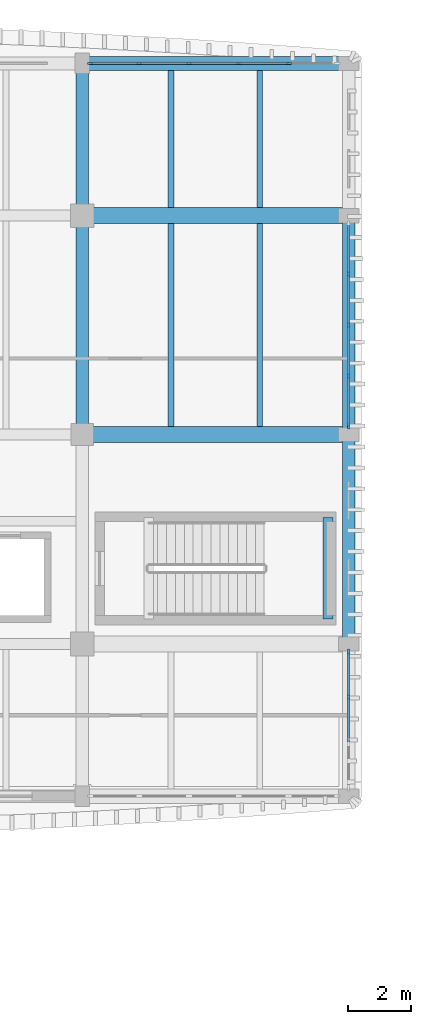
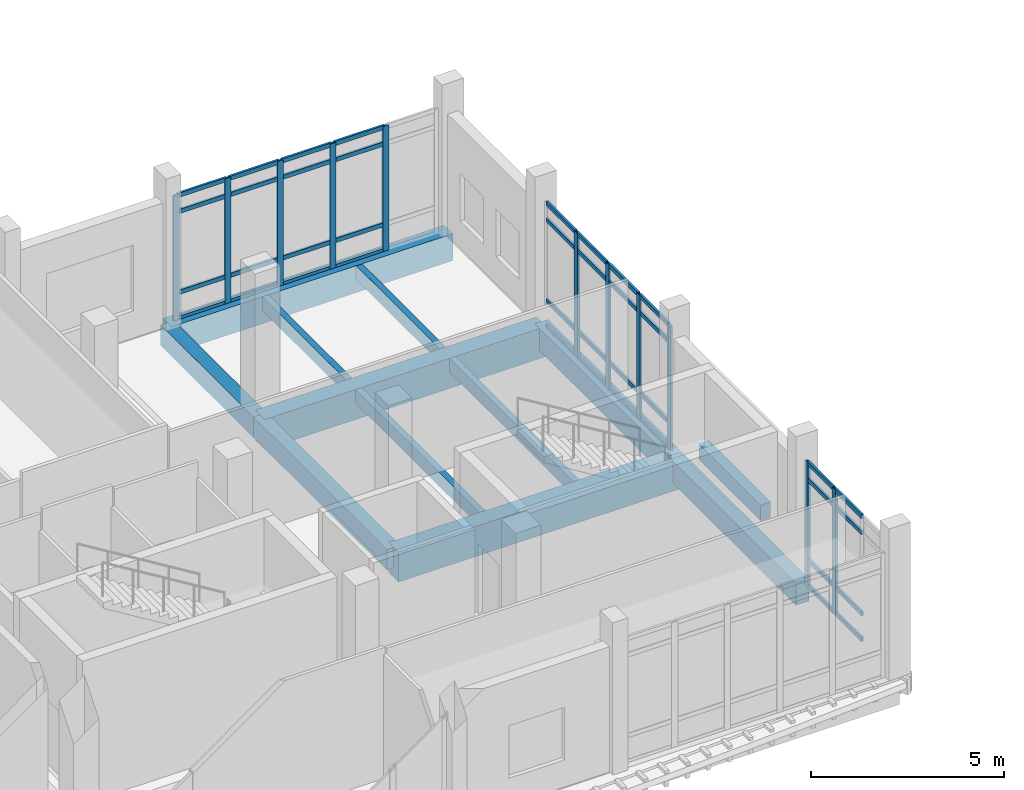
# One storey, part 6 of 39: 51 members, 12 beams, 3 elements without a shape of their own.
"""IFC4 building model written with IfcOpenShell, lengths in metres."""

from ifc_helpers import new_model, si_unit, direction, frame, origin, origin_2d, place, context, subcontext, project, spatial, rectangle, extrude, material, material_profile, profile_set, type_object, element, aggregate, save


model = new_model("IFC4")

# Units and contexts
model_context = context("Model", 3, precision=1e-05, world=origin(), true_north=direction((0.0, 1.0)))
body_context = subcontext(model_context, "Body", "Model", "MODEL_VIEW")
ifc_project = project(units=[si_unit("LENGTHUNIT", "METRE"), si_unit("AREAUNIT", "SQUARE_METRE"), si_unit("VOLUMEUNIT", "CUBIC_METRE"), si_unit("PLANEANGLEUNIT", "RADIAN"), si_unit("MASSUNIT", "GRAM", prefix="KILO")], contexts=[model_context])

# Site, building, storey
site_placement = place(None, origin())
site = spatial("IfcSite", under=ifc_project, at=site_placement, CompositionType="ELEMENT")
building_placement = place(site_placement, origin())
building = spatial("IfcBuilding", under=site, at=building_placement, Name="Dornvale Research Institute", CompositionType="ELEMENT")
storey_placement = place(building_placement, frame((0.0, 0.0, 24.60009765625)))
storey = spatial("IfcBuildingStorey", under=building, at=storey_placement, Name="L05", CompositionType="ELEMENT", Elevation=24.60009765625)

# Beams
ifc_material_1 = material(Name="Concrete f'c 45 MPa (C35/45)", Category="concrete")
ifc_material_profile_1 = material_profile(ifc_material_1, rectangle(XDim=0.300048828125, YDim=0.5, at=origin_2d()), Name="RC 300x500")
ifc_profile_set_1 = profile_set([ifc_material_profile_1], Name="Concrete f'c 45 MPa (C35/45)")
beam_type_1 = type_object("IfcBeamType", Name="Beam_RC300x500_Trim", PredefinedType="BEAM", material=ifc_profile_set_1)
beam_1_placement = place(storey_placement, frame((40.75, 104.580078125, 1.949951171875), z_axis=(0.0, 1.0, 0.0), x_axis=(-1.0, 0.0, 0.0)))
element("IfcBeam", 1, at=beam_1_placement, inside=storey, type_object=beam_type_1, Name="L05 ST-2 half-landing support beam #42", PredefinedType="BEAM", context=body_context, shape_type="SweptSolid", body=[
    extrude(rectangle(XDim=0.300048828125, YDim=0.5, at=origin_2d()), origin(), (0.0, 0.0, 1.0), 3.199951171875),
])
ifc_material_2 = material(Name="Concrete f'c 45 MPa (C35/45)", Category="concrete")
ifc_material_profile_2 = material_profile(ifc_material_2, rectangle(XDim=0.39990234375, YDim=0.64990234375, at=origin_2d()), Name="RC 400x650")
ifc_profile_set_2 = profile_set([ifc_material_profile_2], Name="Concrete f'c 45 MPa (C35/45)")
beam_type_2 = type_object("IfcBeamType", Name="Beam_RC400x650_Floor", PredefinedType="BEAM", material=ifc_profile_set_2)
beam_2_placement = place(storey_placement, frame((33.0, 110.39990234375, -0.3251953125), z_axis=(0.0, 1.0, 0.0), x_axis=(-1.0, 0.0, 0.0)))
element("IfcBeam", 2, at=beam_2_placement, inside=storey, type_object=beam_type_2, Name="L05 transverse girder #1375", PredefinedType="BEAM", context=body_context, shape_type="SweptSolid", body=[
    extrude(rectangle(XDim=0.39990234375, YDim=0.64990234375, at=origin_2d()), origin(), (0.0, 0.0, 1.0), 6.900146484375),
])
beam_3_placement = place(storey_placement, frame((33.0, 117.300048828125, -0.3251953125), z_axis=(0.0, 1.0, 0.0), x_axis=(-1.0, 0.0, 0.0)))
element("IfcBeam", 3, at=beam_3_placement, inside=storey, type_object=beam_type_2, Name="L05 transverse girder #1376", PredefinedType="BEAM", context=body_context, shape_type="SweptSolid", body=[
    extrude(rectangle(XDim=0.39990234375, YDim=0.64990234375, at=origin_2d()), origin(), (0.0, 0.0, 1.0), 4.800048828125),
])
ifc_material_3 = material(Name="Concrete f'c 45 MPa (C35/45)", Category="concrete")
ifc_material_profile_3 = material_profile(ifc_material_3, rectangle(XDim=0.5, YDim=0.949951171875, at=origin_2d()), Name="RC 500x950")
ifc_profile_set_3 = profile_set([ifc_material_profile_3], Name="Concrete f'c 45 MPa (C35/45)")
beam_type_3 = type_object("IfcBeamType", Name="Beam_RC500x950_Girder", PredefinedType="BEAM", material=ifc_profile_set_3)
for number, where, z_axis, x_axis, name in (
    (4, (33.0, 110.39990234375, -0.47509765625), (1.0, 0.0, 0.0), (0.0, 1.0, 0.0), "L05 primary girder #1340"),
    (5, (33.0, 117.300048828125, -0.47509765625), (1.0, 0.0, 0.0), (0.0, 1.0, 0.0), "L05 primary girder #1346"),
):
    element("IfcBeam", number, at=place(storey_placement, frame(where, z_axis=z_axis, x_axis=x_axis)), inside=storey, type_object=beam_type_3, Name=name, PredefinedType="BEAM", context=body_context, shape_type="SweptSolid", body=[
        extrude(rectangle(XDim=0.5, YDim=0.949951171875, at=origin_2d()), origin(), (0.0, 0.0, 1.0), 8.39990234375),
    ])
ifc_material_4 = material(Name="Concrete f'c 45 MPa (C35/45)", Category="concrete")
ifc_material_profile_4 = material_profile(ifc_material_4, rectangle(XDim=0.179931640625, YDim=0.43505859375, at=origin_2d()), Name="RC 180x435")
ifc_profile_set_4 = profile_set([ifc_material_profile_4], Name="Concrete f'c 45 MPa (C35/45)")
beam_type_4 = type_object("IfcBeamType", Name="Joist_RC180x435_Rib", PredefinedType="JOIST", material=ifc_profile_set_4)
for number, where, z_axis, x_axis, name in (
    (6, (35.800048828125, 110.64990234375, -0.217529296875), (0.0, 1.0, 0.0), (-1.0, 0.0, 0.0), "L05 laboratory waffle joist #654"),
    (7, (38.60009765625, 110.64990234375, -0.217529296875), (0.0, 1.0, 0.0), (-1.0, 0.0, 0.0), "L05 laboratory waffle joist #655"),
):
    element("IfcBeam", number, at=place(storey_placement, frame(where, z_axis=z_axis, x_axis=x_axis)), inside=storey, type_object=beam_type_4, Name=name, PredefinedType="JOIST", context=body_context, shape_type="SweptSolid", body=[
        extrude(rectangle(XDim=0.179931640625, YDim=0.43505859375, at=origin_2d()), origin(), (0.0, 0.0, 1.0), 6.400146484375),
    ])
for number, where, z_axis, x_axis, name in (
    (8, (35.800048828125, 117.550048828125, -0.217529296875), (0.0, 1.0, 0.0), (-1.0, 0.0, 0.0), "L05 laboratory waffle joist #656"),
    (9, (38.60009765625, 117.550048828125, -0.217529296875), (0.0, 1.0, 0.0), (-1.0, 0.0, 0.0), "L05 laboratory waffle joist #657"),
):
    element("IfcBeam", number, at=place(storey_placement, frame(where, z_axis=z_axis, x_axis=x_axis)), inside=storey, type_object=beam_type_4, Name=name, PredefinedType="JOIST", context=body_context, shape_type="SweptSolid", body=[
        extrude(rectangle(XDim=0.179931640625, YDim=0.43505859375, at=origin_2d()), origin(), (0.0, 0.0, 1.0), 4.324951171875),
    ])

# Curtain wall, members
ifc_material_5 = material(Name="Low-E Argon Double Insulating Glazing Unit", Category="glass")
curtain_wall_type_1 = type_object("IfcCurtainWallType", Name="UnitisedCurtainWall_V5_7850x3950", PredefinedType="USERDEFINED", material=ifc_material_5)
curtain_wall_1_placement = place(storey_placement, origin())
curtain_wall_1 = element("IfcCurtainWall", 10, at=curtain_wall_1_placement, inside=storey, type_object=curtain_wall_type_1, Name="L05 V5 unitised curtain wall CW-31 #167", ObjectType="UNITISED CURTAIN WALL", PredefinedType="USERDEFINED")
ifc_material_6 = material(Name="Anodized Aluminum AA 6063-T6 Thermally Broken Frame", Category="aluminium")
ifc_material_profile_5 = material_profile(ifc_material_6, rectangle(XDim=0.06494140625, YDim=0.179931640625, at=origin_2d()), Name="ALU MULLION 65x180")
ifc_profile_set_5 = profile_set([ifc_material_profile_5], Name="Anodized Aluminum AA 6063-T6 Thermally Broken Frame")
member_type_1 = type_object("IfcMemberType", Name="Mullion_CW_65x180", PredefinedType="MULLION", material=ifc_profile_set_5)
member_1_placement = place(storey_placement, frame((33.257568359375, 122.10009765625, 0.0), z_axis=(0.0, 0.0, 1.0), x_axis=(0.0, 1.0, 0.0)))
member_1 = element("IfcMember", 11, at=member_1_placement, type_object=member_type_1, Name="CW-31 mullion 1", PredefinedType="MULLION", context=body_context, shape_type="SweptSolid", body=[
    extrude(rectangle(XDim=0.06494140625, YDim=0.179931640625, at=origin_2d()), origin(), (0.0, 0.0, 1.0), 3.949951171875),
])
member_2_placement = place(storey_placement, frame((34.794921875, 122.10009765625, 0.0), z_axis=(0.0, 0.0, 1.0), x_axis=(0.0, 1.0, 0.0)))
member_2 = element("IfcMember", 12, at=member_2_placement, type_object=member_type_1, Name="CW-31 mullion 2", PredefinedType="MULLION", context=body_context, shape_type="SweptSolid", body=[
    extrude(rectangle(XDim=0.06494140625, YDim=0.179931640625, at=origin_2d()), origin(), (0.0, 0.0, 1.0), 3.949951171875),
])
member_3_placement = place(storey_placement, frame((36.364990234375, 122.10009765625, 0.0), z_axis=(0.0, 0.0, 1.0), x_axis=(0.0, 1.0, 0.0)))
member_3 = element("IfcMember", 13, at=member_3_placement, type_object=member_type_1, Name="CW-31 mullion 3", PredefinedType="MULLION", context=body_context, shape_type="SweptSolid", body=[
    extrude(rectangle(XDim=0.06494140625, YDim=0.179931640625, at=origin_2d()), origin(), (0.0, 0.0, 1.0), 3.949951171875),
])
member_4_placement = place(storey_placement, frame((37.93505859375, 122.10009765625, 0.0), z_axis=(0.0, 0.0, 1.0), x_axis=(0.0, 1.0, 0.0)))
member_4 = element("IfcMember", 14, at=member_4_placement, type_object=member_type_1, Name="CW-31 mullion 4", PredefinedType="MULLION", context=body_context, shape_type="SweptSolid", body=[
    extrude(rectangle(XDim=0.06494140625, YDim=0.179931640625, at=origin_2d()), origin(), (0.0, 0.0, 1.0), 3.949951171875),
])
member_5_placement = place(storey_placement, frame((39.5048828125, 122.10009765625, 0.0), z_axis=(0.0, 0.0, 1.0), x_axis=(0.0, 1.0, 0.0)))
member_5 = element("IfcMember", 15, at=member_5_placement, type_object=member_type_1, Name="CW-31 mullion 5", PredefinedType="MULLION", context=body_context, shape_type="SweptSolid", body=[
    extrude(rectangle(XDim=0.06494140625, YDim=0.179931640625, at=origin_2d()), origin(), (0.0, 0.0, 1.0), 3.949951171875),
])

ifc_material_7 = material(Name="Low-E Argon Double Insulating Glazing Unit", Category="glass")
curtain_wall_type_2 = type_object("IfcCurtainWallType", Name="UnitisedCurtainWall_V5_6450x3950", PredefinedType="USERDEFINED", material=ifc_material_7)
curtain_wall_2_placement = place(storey_placement, origin())
curtain_wall_2 = element("IfcCurtainWall", 16, at=curtain_wall_2_placement, inside=storey, type_object=curtain_wall_type_2, Name="L05 V5 unitised curtain wall CW-32 #168", ObjectType="UNITISED CURTAIN WALL", PredefinedType="USERDEFINED")
member_6_placement = place(storey_placement, frame((41.39990234375, 115.46240234375, 0.0), z_axis=(0.0, 0.0, 1.0), x_axis=(1.0, 0.0, 0.0)))
member_6 = element("IfcMember", 17, at=member_6_placement, type_object=member_type_1, Name="CW-32 mullion 2", PredefinedType="MULLION", context=body_context, shape_type="SweptSolid", body=[
    extrude(rectangle(XDim=0.06494140625, YDim=0.179931640625, at=origin_2d()), origin(), (0.0, 0.0, 1.0), 3.949951171875),
])
member_7_placement = place(storey_placement, frame((41.39990234375, 113.85009765625, 0.0), z_axis=(0.0, 0.0, 1.0), x_axis=(1.0, 0.0, 0.0)))
member_7 = element("IfcMember", 18, at=member_7_placement, type_object=member_type_1, Name="CW-32 mullion 3", PredefinedType="MULLION", context=body_context, shape_type="SweptSolid", body=[
    extrude(rectangle(XDim=0.06494140625, YDim=0.179931640625, at=origin_2d()), origin(), (0.0, 0.0, 1.0), 3.949951171875),
])
member_8_placement = place(storey_placement, frame((41.39990234375, 112.237548828125, 0.0), z_axis=(0.0, 0.0, 1.0), x_axis=(1.0, 0.0, 0.0)))
member_8 = element("IfcMember", 19, at=member_8_placement, type_object=member_type_1, Name="CW-32 mullion 4", PredefinedType="MULLION", context=body_context, shape_type="SweptSolid", body=[
    extrude(rectangle(XDim=0.06494140625, YDim=0.179931640625, at=origin_2d()), origin(), (0.0, 0.0, 1.0), 3.949951171875),
])
member_9_placement = place(storey_placement, frame((41.39990234375, 110.657470703125, 0.0), z_axis=(0.0, 0.0, 1.0), x_axis=(1.0, 0.0, 0.0)))
member_9 = element("IfcMember", 20, at=member_9_placement, type_object=member_type_1, Name="CW-32 mullion 5", PredefinedType="MULLION", context=body_context, shape_type="SweptSolid", body=[
    extrude(rectangle(XDim=0.06494140625, YDim=0.179931640625, at=origin_2d()), origin(), (0.0, 0.0, 1.0), 3.949951171875),
])

ifc_material_8 = material(Name="Low-E Argon Double Insulating Glazing Unit", Category="glass")
curtain_wall_type_3 = type_object("IfcCurtainWallType", Name="UnitisedCurtainWall_V5_4350x3950", PredefinedType="USERDEFINED", material=ifc_material_8)
curtain_wall_3_placement = place(storey_placement, origin())
curtain_wall_3 = element("IfcCurtainWall", 21, at=curtain_wall_3_placement, inside=storey, type_object=curtain_wall_type_3, Name="L05 V5 unitised curtain wall CW-33 #169", ObjectType="UNITISED CURTAIN WALL", PredefinedType="USERDEFINED")
member_10_placement = place(storey_placement, frame((41.39990234375, 103.54248046875, 0.0), z_axis=(0.0, 0.0, 1.0), x_axis=(1.0, 0.0, 0.0)))
member_10 = element("IfcMember", 22, at=member_10_placement, type_object=member_type_1, Name="CW-33 mullion 1", PredefinedType="MULLION", context=body_context, shape_type="SweptSolid", body=[
    extrude(rectangle(XDim=0.06494140625, YDim=0.179931640625, at=origin_2d()), origin(), (0.0, 0.0, 1.0), 3.949951171875),
])
member_11_placement = place(storey_placement, frame((41.39990234375, 102.125, 0.0), z_axis=(0.0, 0.0, 1.0), x_axis=(1.0, 0.0, 0.0)))
member_11 = element("IfcMember", 23, at=member_11_placement, type_object=member_type_1, Name="CW-33 mullion 2", PredefinedType="MULLION", context=body_context, shape_type="SweptSolid", body=[
    extrude(rectangle(XDim=0.06494140625, YDim=0.179931640625, at=origin_2d()), origin(), (0.0, 0.0, 1.0), 3.949951171875),
])

# Beams
ifc_material_9 = material(Name="Concrete f'c 45 MPa (C35/45)", Category="concrete")
ifc_material_profile_6 = material_profile(ifc_material_9, rectangle(XDim=0.39990234375, YDim=0.699951171875, at=origin_2d()), Name="RC 400x700")
ifc_profile_set_6 = profile_set([ifc_material_profile_6], Name="Concrete f'c 45 MPa (C35/45)")
beam_type_5 = type_object("IfcBeamType", Name="Spandrel_RC400x700_Ext", PredefinedType="SPANDREL", material=ifc_profile_set_6)
beam_4_placement = place(storey_placement, frame((41.39990234375, 103.800048828125, -0.35009765625), z_axis=(0.0, 1.0, 0.0), x_axis=(-1.0, 0.0, 0.0)))
element("IfcBeam", 24, at=beam_4_placement, inside=storey, type_object=beam_type_5, Name="L05 perimeter spandrel #1378", PredefinedType="SPANDREL", context=body_context, shape_type="SweptSolid", body=[
    extrude(rectangle(XDim=0.39990234375, YDim=0.699951171875, at=origin_2d()), origin(), (0.0, 0.0, 1.0), 6.599853515625),
])
beam_5_placement = place(storey_placement, frame((41.39990234375, 110.39990234375, -0.35009765625), z_axis=(0.0, 1.0, 0.0), x_axis=(-1.0, 0.0, 0.0)))
element("IfcBeam", 25, at=beam_5_placement, inside=storey, type_object=beam_type_5, Name="L05 perimeter spandrel #1379", PredefinedType="SPANDREL", context=body_context, shape_type="SweptSolid", body=[
    extrude(rectangle(XDim=0.39990234375, YDim=0.699951171875, at=origin_2d()), origin(), (0.0, 0.0, 1.0), 6.900146484375),
])
ifc_material_10 = material(Name="Concrete f'c 45 MPa (C35/45)", Category="concrete")
ifc_material_profile_7 = material_profile(ifc_material_10, rectangle(XDim=0.449951171875, YDim=0.85009765625, at=origin_2d()), Name="RC 450x850")
ifc_profile_set_7 = profile_set([ifc_material_profile_7], Name="Concrete f'c 45 MPa (C35/45)")
beam_type_6 = type_object("IfcBeamType", Name="Spandrel_RC450x850_Ext", PredefinedType="SPANDREL", material=ifc_profile_set_7)
beam_6_placement = place(storey_placement, frame((33.0, 122.10009765625, -0.425048828125), z_axis=(1.0, 0.0, 0.0), x_axis=(0.0, 1.0, 0.0)))
element("IfcBeam", 26, at=beam_6_placement, inside=storey, type_object=beam_type_6, Name="L05 perimeter spandrel #1352", PredefinedType="SPANDREL", context=body_context, shape_type="SweptSolid", body=[
    extrude(rectangle(XDim=0.449951171875, YDim=0.85009765625, at=origin_2d()), origin(), (0.0, 0.0, 1.0), 8.39990234375),
])

# Member
ifc_material_11 = material(Name="Anodized Aluminum AA 6063-T6 Thermally Broken Frame", Category="aluminium")
ifc_material_profile_8 = material_profile(ifc_material_11, rectangle(XDim=0.06494140625, YDim=0.135009765625, at=origin_2d()), Name="ALU TRANSOM 65x135")
ifc_profile_set_8 = profile_set([ifc_material_profile_8], Name="Anodized Aluminum AA 6063-T6 Thermally Broken Frame")
member_type_2 = type_object("IfcMemberType", Name="Transom_CW_65x135", PredefinedType="USERDEFINED", material=ifc_profile_set_8)
member_12_placement = place(storey_placement, frame((33.2900390625, 122.10009765625, 0.032470703125), z_axis=(1.0, 0.0, 0.0), x_axis=(0.0, 1.0, 0.0)))
member_12 = element("IfcMember", 27, at=member_12_placement, type_object=member_type_2, Name="CW-31 transom 1.1", ObjectType="TRANSOM", PredefinedType="USERDEFINED", context=body_context, shape_type="SweptSolid", body=[
    extrude(rectangle(XDim=0.06494140625, YDim=0.135009765625, at=origin_2d()), origin(), (0.0, 0.0, 1.0), 1.472412109375),
])

member_13_placement = place(storey_placement, frame((33.2900390625, 122.10009765625, 0.849853515625), z_axis=(1.0, 0.0, 0.0), x_axis=(0.0, 1.0, 0.0)))
member_13 = element("IfcMember", 28, at=member_13_placement, type_object=member_type_2, Name="CW-31 transom 1.2", ObjectType="TRANSOM", PredefinedType="USERDEFINED", context=body_context, shape_type="SweptSolid", body=[
    extrude(rectangle(XDim=0.06494140625, YDim=0.135009765625, at=origin_2d()), origin(), (0.0, 0.0, 1.0), 1.472412109375),
])

member_14_placement = place(storey_placement, frame((33.2900390625, 122.10009765625, 3.39990234375), z_axis=(1.0, 0.0, 0.0), x_axis=(0.0, 1.0, 0.0)))
member_14 = element("IfcMember", 29, at=member_14_placement, type_object=member_type_2, Name="CW-31 transom 1.3", ObjectType="TRANSOM", PredefinedType="USERDEFINED", context=body_context, shape_type="SweptSolid", body=[
    extrude(rectangle(XDim=0.06494140625, YDim=0.135009765625, at=origin_2d()), origin(), (0.0, 0.0, 1.0), 1.472412109375),
])

member_15_placement = place(storey_placement, frame((33.2900390625, 122.10009765625, 3.91748046875), z_axis=(1.0, 0.0, 0.0), x_axis=(0.0, 1.0, 0.0)))
member_15 = element("IfcMember", 30, at=member_15_placement, type_object=member_type_2, Name="CW-31 transom 1.4", ObjectType="TRANSOM", PredefinedType="USERDEFINED", context=body_context, shape_type="SweptSolid", body=[
    extrude(rectangle(XDim=0.06494140625, YDim=0.135009765625, at=origin_2d()), origin(), (0.0, 0.0, 1.0), 1.472412109375),
])

member_16_placement = place(storey_placement, frame((34.827392578125, 122.10009765625, 0.032470703125), z_axis=(1.0, 0.0, 0.0), x_axis=(0.0, 1.0, 0.0)))
member_16 = element("IfcMember", 31, at=member_16_placement, type_object=member_type_2, Name="CW-31 transom 2.1", ObjectType="TRANSOM", PredefinedType="USERDEFINED", context=body_context, shape_type="SweptSolid", body=[
    extrude(rectangle(XDim=0.06494140625, YDim=0.135009765625, at=origin_2d()), origin(), (0.0, 0.0, 1.0), 1.505126953125),
])

member_17_placement = place(storey_placement, frame((34.827392578125, 122.10009765625, 0.849853515625), z_axis=(1.0, 0.0, 0.0), x_axis=(0.0, 1.0, 0.0)))
member_17 = element("IfcMember", 32, at=member_17_placement, type_object=member_type_2, Name="CW-31 transom 2.2", ObjectType="TRANSOM", PredefinedType="USERDEFINED", context=body_context, shape_type="SweptSolid", body=[
    extrude(rectangle(XDim=0.06494140625, YDim=0.135009765625, at=origin_2d()), origin(), (0.0, 0.0, 1.0), 1.505126953125),
])

member_18_placement = place(storey_placement, frame((34.827392578125, 122.10009765625, 3.39990234375), z_axis=(1.0, 0.0, 0.0), x_axis=(0.0, 1.0, 0.0)))
member_18 = element("IfcMember", 33, at=member_18_placement, type_object=member_type_2, Name="CW-31 transom 2.3", ObjectType="TRANSOM", PredefinedType="USERDEFINED", context=body_context, shape_type="SweptSolid", body=[
    extrude(rectangle(XDim=0.06494140625, YDim=0.135009765625, at=origin_2d()), origin(), (0.0, 0.0, 1.0), 1.505126953125),
])

member_19_placement = place(storey_placement, frame((34.827392578125, 122.10009765625, 3.91748046875), z_axis=(1.0, 0.0, 0.0), x_axis=(0.0, 1.0, 0.0)))
member_19 = element("IfcMember", 34, at=member_19_placement, type_object=member_type_2, Name="CW-31 transom 2.4", ObjectType="TRANSOM", PredefinedType="USERDEFINED", context=body_context, shape_type="SweptSolid", body=[
    extrude(rectangle(XDim=0.06494140625, YDim=0.135009765625, at=origin_2d()), origin(), (0.0, 0.0, 1.0), 1.505126953125),
])

member_20_placement = place(storey_placement, frame((36.3974609375, 122.10009765625, 0.032470703125), z_axis=(1.0, 0.0, 0.0), x_axis=(0.0, 1.0, 0.0)))
member_20 = element("IfcMember", 35, at=member_20_placement, type_object=member_type_2, Name="CW-31 transom 3.1", ObjectType="TRANSOM", PredefinedType="USERDEFINED", context=body_context, shape_type="SweptSolid", body=[
    extrude(rectangle(XDim=0.06494140625, YDim=0.135009765625, at=origin_2d()), origin(), (0.0, 0.0, 1.0), 1.505126953125),
])

member_21_placement = place(storey_placement, frame((36.3974609375, 122.10009765625, 0.849853515625), z_axis=(1.0, 0.0, 0.0), x_axis=(0.0, 1.0, 0.0)))
member_21 = element("IfcMember", 36, at=member_21_placement, type_object=member_type_2, Name="CW-31 transom 3.2", ObjectType="TRANSOM", PredefinedType="USERDEFINED", context=body_context, shape_type="SweptSolid", body=[
    extrude(rectangle(XDim=0.06494140625, YDim=0.135009765625, at=origin_2d()), origin(), (0.0, 0.0, 1.0), 1.505126953125),
])

member_22_placement = place(storey_placement, frame((36.3974609375, 122.10009765625, 3.39990234375), z_axis=(1.0, 0.0, 0.0), x_axis=(0.0, 1.0, 0.0)))
member_22 = element("IfcMember", 37, at=member_22_placement, type_object=member_type_2, Name="CW-31 transom 3.3", ObjectType="TRANSOM", PredefinedType="USERDEFINED", context=body_context, shape_type="SweptSolid", body=[
    extrude(rectangle(XDim=0.06494140625, YDim=0.135009765625, at=origin_2d()), origin(), (0.0, 0.0, 1.0), 1.505126953125),
])

member_23_placement = place(storey_placement, frame((36.3974609375, 122.10009765625, 3.91748046875), z_axis=(1.0, 0.0, 0.0), x_axis=(0.0, 1.0, 0.0)))
member_23 = element("IfcMember", 38, at=member_23_placement, type_object=member_type_2, Name="CW-31 transom 3.4", ObjectType="TRANSOM", PredefinedType="USERDEFINED", context=body_context, shape_type="SweptSolid", body=[
    extrude(rectangle(XDim=0.06494140625, YDim=0.135009765625, at=origin_2d()), origin(), (0.0, 0.0, 1.0), 1.505126953125),
])

member_24_placement = place(storey_placement, frame((37.967529296875, 122.10009765625, 0.032470703125), z_axis=(1.0, 0.0, 0.0), x_axis=(0.0, 1.0, 0.0)))
member_24 = element("IfcMember", 39, at=member_24_placement, type_object=member_type_2, Name="CW-31 transom 4.1", ObjectType="TRANSOM", PredefinedType="USERDEFINED", context=body_context, shape_type="SweptSolid", body=[
    extrude(rectangle(XDim=0.06494140625, YDim=0.135009765625, at=origin_2d()), origin(), (0.0, 0.0, 1.0), 1.5048828125),
])

member_25_placement = place(storey_placement, frame((37.967529296875, 122.10009765625, 0.849853515625), z_axis=(1.0, 0.0, 0.0), x_axis=(0.0, 1.0, 0.0)))
member_25 = element("IfcMember", 40, at=member_25_placement, type_object=member_type_2, Name="CW-31 transom 4.2", ObjectType="TRANSOM", PredefinedType="USERDEFINED", context=body_context, shape_type="SweptSolid", body=[
    extrude(rectangle(XDim=0.06494140625, YDim=0.135009765625, at=origin_2d()), origin(), (0.0, 0.0, 1.0), 1.5048828125),
])

member_26_placement = place(storey_placement, frame((37.967529296875, 122.10009765625, 3.39990234375), z_axis=(1.0, 0.0, 0.0), x_axis=(0.0, 1.0, 0.0)))
member_26 = element("IfcMember", 41, at=member_26_placement, type_object=member_type_2, Name="CW-31 transom 4.3", ObjectType="TRANSOM", PredefinedType="USERDEFINED", context=body_context, shape_type="SweptSolid", body=[
    extrude(rectangle(XDim=0.06494140625, YDim=0.135009765625, at=origin_2d()), origin(), (0.0, 0.0, 1.0), 1.5048828125),
])

member_27_placement = place(storey_placement, frame((37.967529296875, 122.10009765625, 3.91748046875), z_axis=(1.0, 0.0, 0.0), x_axis=(0.0, 1.0, 0.0)))
member_27 = element("IfcMember", 42, at=member_27_placement, type_object=member_type_2, Name="CW-31 transom 4.4", ObjectType="TRANSOM", PredefinedType="USERDEFINED", context=body_context, shape_type="SweptSolid", body=[
    extrude(rectangle(XDim=0.06494140625, YDim=0.135009765625, at=origin_2d()), origin(), (0.0, 0.0, 1.0), 1.5048828125),
])

aggregate(curtain_wall_1, [member_1, member_2, member_3, member_4, member_5, member_12, member_13, member_14, member_15, member_16, member_17, member_18, member_19, member_20, member_21, member_22, member_23, member_24, member_25, member_26, member_27])

member_28_placement = place(storey_placement, frame((41.39990234375, 117.010009765625, 0.032470703125), z_axis=(0.0, -1.0, 0.0), x_axis=(1.0, 0.0, 0.0)))
member_28 = element("IfcMember", 43, at=member_28_placement, type_object=member_type_2, Name="CW-32 transom 1.1", ObjectType="TRANSOM", PredefinedType="USERDEFINED", context=body_context, shape_type="SweptSolid", body=[
    extrude(rectangle(XDim=0.06494140625, YDim=0.135009765625, at=origin_2d()), origin(), (0.0, 0.0, 1.0), 1.514892578125),
])

member_29_placement = place(storey_placement, frame((41.39990234375, 117.010009765625, 0.849853515625), z_axis=(0.0, -1.0, 0.0), x_axis=(1.0, 0.0, 0.0)))
member_29 = element("IfcMember", 44, at=member_29_placement, type_object=member_type_2, Name="CW-32 transom 1.2", ObjectType="TRANSOM", PredefinedType="USERDEFINED", context=body_context, shape_type="SweptSolid", body=[
    extrude(rectangle(XDim=0.06494140625, YDim=0.135009765625, at=origin_2d()), origin(), (0.0, 0.0, 1.0), 1.514892578125),
])

member_30_placement = place(storey_placement, frame((41.39990234375, 117.010009765625, 3.39990234375), z_axis=(0.0, -1.0, 0.0), x_axis=(1.0, 0.0, 0.0)))
member_30 = element("IfcMember", 45, at=member_30_placement, type_object=member_type_2, Name="CW-32 transom 1.3", ObjectType="TRANSOM", PredefinedType="USERDEFINED", context=body_context, shape_type="SweptSolid", body=[
    extrude(rectangle(XDim=0.06494140625, YDim=0.135009765625, at=origin_2d()), origin(), (0.0, 0.0, 1.0), 1.514892578125),
])

member_31_placement = place(storey_placement, frame((41.39990234375, 117.010009765625, 3.91748046875), z_axis=(0.0, -1.0, 0.0), x_axis=(1.0, 0.0, 0.0)))
member_31 = element("IfcMember", 46, at=member_31_placement, type_object=member_type_2, Name="CW-32 transom 1.4", ObjectType="TRANSOM", PredefinedType="USERDEFINED", context=body_context, shape_type="SweptSolid", body=[
    extrude(rectangle(XDim=0.06494140625, YDim=0.135009765625, at=origin_2d()), origin(), (0.0, 0.0, 1.0), 1.514892578125),
])

member_32_placement = place(storey_placement, frame((41.39990234375, 115.429931640625, 0.032470703125), z_axis=(0.0, -1.0, 0.0), x_axis=(1.0, 0.0, 0.0)))
member_32 = element("IfcMember", 47, at=member_32_placement, type_object=member_type_2, Name="CW-32 transom 2.1", ObjectType="TRANSOM", PredefinedType="USERDEFINED", context=body_context, shape_type="SweptSolid", body=[
    extrude(rectangle(XDim=0.06494140625, YDim=0.135009765625, at=origin_2d()), origin(), (0.0, 0.0, 1.0), 1.54736328125),
])

member_33_placement = place(storey_placement, frame((41.39990234375, 115.429931640625, 0.849853515625), z_axis=(0.0, -1.0, 0.0), x_axis=(1.0, 0.0, 0.0)))
member_33 = element("IfcMember", 48, at=member_33_placement, type_object=member_type_2, Name="CW-32 transom 2.2", ObjectType="TRANSOM", PredefinedType="USERDEFINED", context=body_context, shape_type="SweptSolid", body=[
    extrude(rectangle(XDim=0.06494140625, YDim=0.135009765625, at=origin_2d()), origin(), (0.0, 0.0, 1.0), 1.54736328125),
])

member_34_placement = place(storey_placement, frame((41.39990234375, 115.429931640625, 3.39990234375), z_axis=(0.0, -1.0, 0.0), x_axis=(1.0, 0.0, 0.0)))
member_34 = element("IfcMember", 49, at=member_34_placement, type_object=member_type_2, Name="CW-32 transom 2.3", ObjectType="TRANSOM", PredefinedType="USERDEFINED", context=body_context, shape_type="SweptSolid", body=[
    extrude(rectangle(XDim=0.06494140625, YDim=0.135009765625, at=origin_2d()), origin(), (0.0, 0.0, 1.0), 1.54736328125),
])

member_35_placement = place(storey_placement, frame((41.39990234375, 115.429931640625, 3.91748046875), z_axis=(0.0, -1.0, 0.0), x_axis=(1.0, 0.0, 0.0)))
member_35 = element("IfcMember", 50, at=member_35_placement, type_object=member_type_2, Name="CW-32 transom 2.4", ObjectType="TRANSOM", PredefinedType="USERDEFINED", context=body_context, shape_type="SweptSolid", body=[
    extrude(rectangle(XDim=0.06494140625, YDim=0.135009765625, at=origin_2d()), origin(), (0.0, 0.0, 1.0), 1.54736328125),
])

member_36_placement = place(storey_placement, frame((41.39990234375, 113.8173828125, 0.032470703125), z_axis=(0.0, -1.0, 0.0), x_axis=(1.0, 0.0, 0.0)))
member_36 = element("IfcMember", 51, at=member_36_placement, type_object=member_type_2, Name="CW-32 transom 3.1", ObjectType="TRANSOM", PredefinedType="USERDEFINED", context=body_context, shape_type="SweptSolid", body=[
    extrude(rectangle(XDim=0.06494140625, YDim=0.135009765625, at=origin_2d()), origin(), (0.0, 0.0, 1.0), 1.54736328125),
])

member_37_placement = place(storey_placement, frame((41.39990234375, 113.8173828125, 0.849853515625), z_axis=(0.0, -1.0, 0.0), x_axis=(1.0, 0.0, 0.0)))
member_37 = element("IfcMember", 52, at=member_37_placement, type_object=member_type_2, Name="CW-32 transom 3.2", ObjectType="TRANSOM", PredefinedType="USERDEFINED", context=body_context, shape_type="SweptSolid", body=[
    extrude(rectangle(XDim=0.06494140625, YDim=0.135009765625, at=origin_2d()), origin(), (0.0, 0.0, 1.0), 1.54736328125),
])

member_38_placement = place(storey_placement, frame((41.39990234375, 113.8173828125, 3.39990234375), z_axis=(0.0, -1.0, 0.0), x_axis=(1.0, 0.0, 0.0)))
member_38 = element("IfcMember", 53, at=member_38_placement, type_object=member_type_2, Name="CW-32 transom 3.3", ObjectType="TRANSOM", PredefinedType="USERDEFINED", context=body_context, shape_type="SweptSolid", body=[
    extrude(rectangle(XDim=0.06494140625, YDim=0.135009765625, at=origin_2d()), origin(), (0.0, 0.0, 1.0), 1.54736328125),
])

member_39_placement = place(storey_placement, frame((41.39990234375, 113.8173828125, 3.91748046875), z_axis=(0.0, -1.0, 0.0), x_axis=(1.0, 0.0, 0.0)))
member_39 = element("IfcMember", 54, at=member_39_placement, type_object=member_type_2, Name="CW-32 transom 3.4", ObjectType="TRANSOM", PredefinedType="USERDEFINED", context=body_context, shape_type="SweptSolid", body=[
    extrude(rectangle(XDim=0.06494140625, YDim=0.135009765625, at=origin_2d()), origin(), (0.0, 0.0, 1.0), 1.54736328125),
])

member_40_placement = place(storey_placement, frame((41.39990234375, 112.205078125, 0.032470703125), z_axis=(0.0, -1.0, 0.0), x_axis=(1.0, 0.0, 0.0)))
member_40 = element("IfcMember", 55, at=member_40_placement, type_object=member_type_2, Name="CW-32 transom 4.1", ObjectType="TRANSOM", PredefinedType="USERDEFINED", context=body_context, shape_type="SweptSolid", body=[
    extrude(rectangle(XDim=0.06494140625, YDim=0.135009765625, at=origin_2d()), origin(), (0.0, 0.0, 1.0), 1.51513671875),
])

member_41_placement = place(storey_placement, frame((41.39990234375, 112.205078125, 0.849853515625), z_axis=(0.0, -1.0, 0.0), x_axis=(1.0, 0.0, 0.0)))
member_41 = element("IfcMember", 56, at=member_41_placement, type_object=member_type_2, Name="CW-32 transom 4.2", ObjectType="TRANSOM", PredefinedType="USERDEFINED", context=body_context, shape_type="SweptSolid", body=[
    extrude(rectangle(XDim=0.06494140625, YDim=0.135009765625, at=origin_2d()), origin(), (0.0, 0.0, 1.0), 1.51513671875),
])

member_42_placement = place(storey_placement, frame((41.39990234375, 112.205078125, 3.39990234375), z_axis=(0.0, -1.0, 0.0), x_axis=(1.0, 0.0, 0.0)))
member_42 = element("IfcMember", 57, at=member_42_placement, type_object=member_type_2, Name="CW-32 transom 4.3", ObjectType="TRANSOM", PredefinedType="USERDEFINED", context=body_context, shape_type="SweptSolid", body=[
    extrude(rectangle(XDim=0.06494140625, YDim=0.135009765625, at=origin_2d()), origin(), (0.0, 0.0, 1.0), 1.51513671875),
])

member_43_placement = place(storey_placement, frame((41.39990234375, 112.205078125, 3.91748046875), z_axis=(0.0, -1.0, 0.0), x_axis=(1.0, 0.0, 0.0)))
member_43 = element("IfcMember", 58, at=member_43_placement, type_object=member_type_2, Name="CW-32 transom 4.4", ObjectType="TRANSOM", PredefinedType="USERDEFINED", context=body_context, shape_type="SweptSolid", body=[
    extrude(rectangle(XDim=0.06494140625, YDim=0.135009765625, at=origin_2d()), origin(), (0.0, 0.0, 1.0), 1.51513671875),
])

aggregate(curtain_wall_2, [member_6, member_7, member_8, member_9, member_28, member_29, member_30, member_31, member_32, member_33, member_34, member_35, member_36, member_37, member_38, member_39, member_40, member_41, member_42, member_43])

member_44_placement = place(storey_placement, frame((41.39990234375, 103.510009765625, 0.032470703125), z_axis=(0.0, -1.0, 0.0), x_axis=(1.0, 0.0, 0.0)))
member_44 = element("IfcMember", 59, at=member_44_placement, type_object=member_type_2, Name="CW-33 transom 1.1", ObjectType="TRANSOM", PredefinedType="USERDEFINED", context=body_context, shape_type="SweptSolid", body=[
    extrude(rectangle(XDim=0.06494140625, YDim=0.135009765625, at=origin_2d()), origin(), (0.0, 0.0, 1.0), 1.3525390625),
])

member_45_placement = place(storey_placement, frame((41.39990234375, 103.510009765625, 0.849853515625), z_axis=(0.0, -1.0, 0.0), x_axis=(1.0, 0.0, 0.0)))
member_45 = element("IfcMember", 60, at=member_45_placement, type_object=member_type_2, Name="CW-33 transom 1.2", ObjectType="TRANSOM", PredefinedType="USERDEFINED", context=body_context, shape_type="SweptSolid", body=[
    extrude(rectangle(XDim=0.06494140625, YDim=0.135009765625, at=origin_2d()), origin(), (0.0, 0.0, 1.0), 1.3525390625),
])

member_46_placement = place(storey_placement, frame((41.39990234375, 103.510009765625, 3.39990234375), z_axis=(0.0, -1.0, 0.0), x_axis=(1.0, 0.0, 0.0)))
member_46 = element("IfcMember", 61, at=member_46_placement, type_object=member_type_2, Name="CW-33 transom 1.3", ObjectType="TRANSOM", PredefinedType="USERDEFINED", context=body_context, shape_type="SweptSolid", body=[
    extrude(rectangle(XDim=0.06494140625, YDim=0.135009765625, at=origin_2d()), origin(), (0.0, 0.0, 1.0), 1.3525390625),
])

member_47_placement = place(storey_placement, frame((41.39990234375, 103.510009765625, 3.91748046875), z_axis=(0.0, -1.0, 0.0), x_axis=(1.0, 0.0, 0.0)))
member_47 = element("IfcMember", 62, at=member_47_placement, type_object=member_type_2, Name="CW-33 transom 1.4", ObjectType="TRANSOM", PredefinedType="USERDEFINED", context=body_context, shape_type="SweptSolid", body=[
    extrude(rectangle(XDim=0.06494140625, YDim=0.135009765625, at=origin_2d()), origin(), (0.0, 0.0, 1.0), 1.3525390625),
])

member_48_placement = place(storey_placement, frame((41.39990234375, 102.092529296875, 0.032470703125), z_axis=(0.0, -1.0, 0.0), x_axis=(1.0, 0.0, 0.0)))
member_48 = element("IfcMember", 63, at=member_48_placement, type_object=member_type_2, Name="CW-33 transom 2.1", ObjectType="TRANSOM", PredefinedType="USERDEFINED", context=body_context, shape_type="SweptSolid", body=[
    extrude(rectangle(XDim=0.06494140625, YDim=0.135009765625, at=origin_2d()), origin(), (0.0, 0.0, 1.0), 1.385009765625),
])

member_49_placement = place(storey_placement, frame((41.39990234375, 102.092529296875, 0.849853515625), z_axis=(0.0, -1.0, 0.0), x_axis=(1.0, 0.0, 0.0)))
member_49 = element("IfcMember", 64, at=member_49_placement, type_object=member_type_2, Name="CW-33 transom 2.2", ObjectType="TRANSOM", PredefinedType="USERDEFINED", context=body_context, shape_type="SweptSolid", body=[
    extrude(rectangle(XDim=0.06494140625, YDim=0.135009765625, at=origin_2d()), origin(), (0.0, 0.0, 1.0), 1.385009765625),
])

member_50_placement = place(storey_placement, frame((41.39990234375, 102.092529296875, 3.39990234375), z_axis=(0.0, -1.0, 0.0), x_axis=(1.0, 0.0, 0.0)))
member_50 = element("IfcMember", 65, at=member_50_placement, type_object=member_type_2, Name="CW-33 transom 2.3", ObjectType="TRANSOM", PredefinedType="USERDEFINED", context=body_context, shape_type="SweptSolid", body=[
    extrude(rectangle(XDim=0.06494140625, YDim=0.135009765625, at=origin_2d()), origin(), (0.0, 0.0, 1.0), 1.385009765625),
])

member_51_placement = place(storey_placement, frame((41.39990234375, 102.092529296875, 3.91748046875), z_axis=(0.0, -1.0, 0.0), x_axis=(1.0, 0.0, 0.0)))
member_51 = element("IfcMember", 66, at=member_51_placement, type_object=member_type_2, Name="CW-33 transom 2.4", ObjectType="TRANSOM", PredefinedType="USERDEFINED", context=body_context, shape_type="SweptSolid", body=[
    extrude(rectangle(XDim=0.06494140625, YDim=0.135009765625, at=origin_2d()), origin(), (0.0, 0.0, 1.0), 1.385009765625),
])

aggregate(curtain_wall_3, [member_10, member_11, member_44, member_45, member_46, member_47, member_48, member_49, member_50, member_51])

save(model, "model.ifc")
